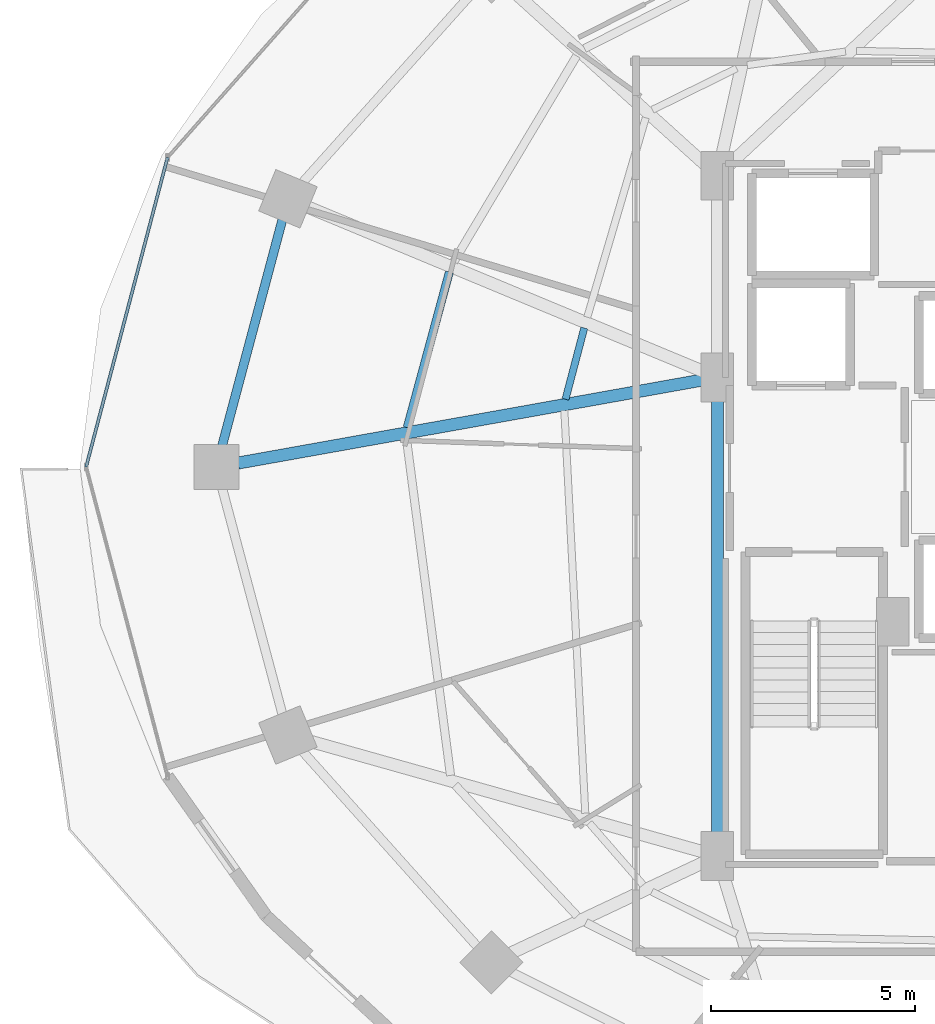
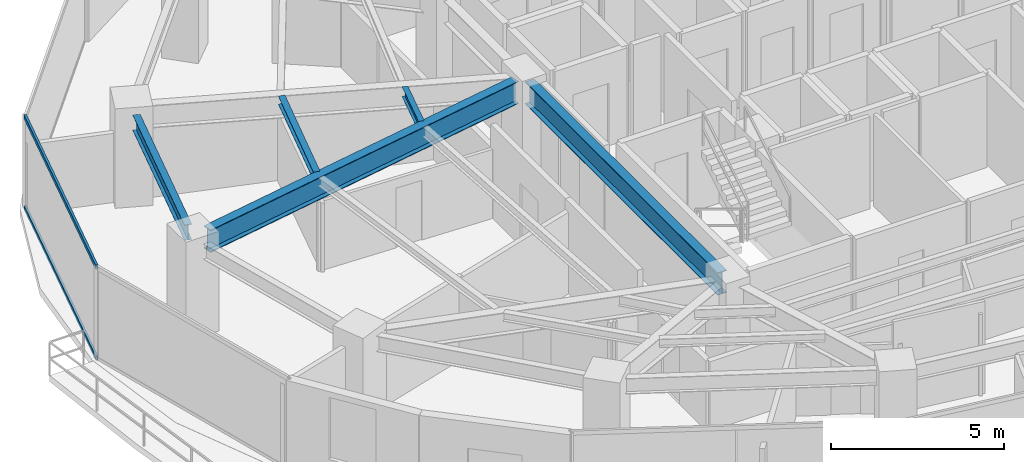
# One storey, part 8 of 29: 5 beams, 2 members, 1 element without a shape of its own.
"""IFC4 building model written with IfcOpenShell, lengths in metres."""

from ifc_helpers import new_model, si_unit, direction, frame, origin, origin_2d, place, context, subcontext, project, spatial, hollow_rectangle, i_section, extrude, material, material_profile, profile_set, type_object, element, aggregate, save


model = new_model("IFC4")

# Units and contexts
model_context = context("Model", 3, precision=1e-05, world=origin(), true_north=direction((0.0, 1.0)))
body_context = subcontext(model_context, "Body", "Model", "MODEL_VIEW")
ifc_project = project(units=[si_unit("LENGTHUNIT", "METRE"), si_unit("AREAUNIT", "SQUARE_METRE"), si_unit("VOLUMEUNIT", "CUBIC_METRE"), si_unit("PLANEANGLEUNIT", "RADIAN"), si_unit("MASSUNIT", "GRAM", prefix="KILO")], contexts=[model_context])

# Site, building, storey
site_placement = place(None, origin())
site = spatial("IfcSite", under=ifc_project, at=site_placement, CompositionType="ELEMENT")
building_placement = place(site_placement, origin())
building = spatial("IfcBuilding", under=site, at=building_placement, Name="Vorneva Point Tower", CompositionType="ELEMENT")
storey_placement = place(building_placement, frame((0.0, 0.0, 117.300048828125)))
storey = spatial("IfcBuildingStorey", under=building, at=storey_placement, Name="L31", CompositionType="ELEMENT", Elevation=117.300048828125)

# Beams
ifc_material_1 = material(Name="Steel S355", Category="steel")
ifc_material_profile_1 = material_profile(ifc_material_1, i_section(OverallWidth=0.300048828125, OverallDepth=0.7880859375, WebThickness=0.014404296875, FlangeThickness=0.02197265625, at=origin_2d()), Name="80Sh1")
ifc_profile_set_1 = profile_set([ifc_material_profile_1], Name="Steel S355")
beam_type_1 = type_object("IfcBeamType", Name="BM-GRD-80Sh1", PredefinedType="USERDEFINED", material=ifc_profile_set_1)
beam_1_placement = place(storey_placement, frame((15.4794921875, 26.0947265625, 2.845947265625), z_axis=(0.984378310682, 0.176066298476, 0.0), x_axis=(-0.176066298476, 0.984378310682, 0.0)))
element("IfcBeam", 1, at=beam_1_placement, inside=storey, type_object=beam_type_1, Name="L31 Radial Primary Girder 09", ObjectType="GIRDER", PredefinedType="USERDEFINED", context=body_context, shape_type="SweptSolid", body=[
    extrude(i_section(OverallWidth=0.300048828125, OverallDepth=0.7880859375, WebThickness=0.014404296875, FlangeThickness=0.02197265625, at=origin_2d()), origin(), (0.0, 0.0, 1.0), 11.6171875),
])
beam_2_placement = place(storey_placement, frame((27.25, 16.77001953125, 2.845947265625), z_axis=(0.0, 1.0, 0.0), x_axis=(-1.0, 0.0, 0.0)))
element("IfcBeam", 2, at=beam_2_placement, inside=storey, type_object=beam_type_1, Name="L31 Core Tie Girder CT1", ObjectType="GIRDER", PredefinedType="USERDEFINED", context=body_context, shape_type="SweptSolid", body=[
    extrude(i_section(OverallWidth=0.300048828125, OverallDepth=0.7880859375, WebThickness=0.014404296875, FlangeThickness=0.02197265625, at=origin_2d()), origin(), (0.0, 0.0, 1.0), 11.10986328125),
])
ifc_material_profile_2 = material_profile(ifc_material_1, i_section(OverallWidth=0.199951171875, OverallDepth=0.291015625, WebThickness=0.008056640625, FlangeThickness=0.010986328125, at=origin_2d()), Name="30Sh1")
ifc_profile_set_2 = profile_set([ifc_material_profile_2], Name="Steel S355")
beam_type_2 = type_object("IfcBeamType", Name="BM-SEC-30Sh1", PredefinedType="BEAM", material=ifc_profile_set_2)
beam_3_placement = place(storey_placement, frame((20.669677734375, 30.7861328125, 3.094482421875), z_axis=(-0.261880909286, -0.965100196535, 0.0), x_axis=(0.965100196535, -0.261880909286, 0.0)))
element("IfcBeam", 3, at=beam_3_placement, inside=storey, type_object=beam_type_2, Name="L31 Secondary Floor Beam 1.08", PredefinedType="BEAM", context=body_context, shape_type="SweptSolid", body=[
    extrude(i_section(OverallWidth=0.199951171875, OverallDepth=0.291015625, WebThickness=0.008056640625, FlangeThickness=0.010986328125, at=origin_2d()), origin(), (0.0, 0.0, 1.0), 3.960205078125),
])
ifc_material_profile_3 = material_profile(ifc_material_1, i_section(OverallWidth=0.174072265625, OverallDepth=0.345947265625, WebThickness=0.006103515625, FlangeThickness=0.009033203125, at=origin_2d()), Name="35B1")
ifc_profile_set_3 = profile_set([ifc_material_profile_3], Name="Steel S355")
beam_type_3 = type_object("IfcBeamType", Name="BM-SEC-35B1", PredefinedType="BEAM", material=ifc_profile_set_3)
beam_4_placement = place(storey_placement, frame((23.98046875, 29.41064453125, 3.06689453125), z_axis=(-0.254480022924, -0.967078030943, 0.0), x_axis=(0.967078030943, -0.254480022924, 0.0)))
element("IfcBeam", 4, at=beam_4_placement, inside=storey, type_object=beam_type_3, Name="L31 Secondary Floor Beam 2.08", PredefinedType="BEAM", context=body_context, shape_type="SweptSolid", body=[
    extrude(i_section(OverallWidth=0.174072265625, OverallDepth=0.345947265625, WebThickness=0.006103515625, FlangeThickness=0.009033203125, at=origin_2d()), origin(), (0.0, 0.0, 1.0), 1.810302734375),
])
ifc_material_profile_4 = material_profile(ifc_material_1, i_section(OverallWidth=0.219970703125, OverallDepth=0.54296875, WebThickness=0.009521484375, FlangeThickness=0.013427734375, at=origin_2d()), Name="55B1")
ifc_profile_set_4 = profile_set([ifc_material_profile_4], Name="Steel S355")
beam_type_4 = type_object("IfcBeamType", Name="BM-SPN-55B1", PredefinedType="SPANDREL", material=ifc_profile_set_4)
beam_5_placement = place(storey_placement, frame((16.56689453125, 32.065185546875, 2.968505859375), z_axis=(-0.257572674071, -0.966258928845, 0.0), x_axis=(0.966258928845, -0.257572674071, 0.0)))
element("IfcBeam", 5, at=beam_5_placement, inside=storey, type_object=beam_type_4, Name="L31 Perimeter Spandrel Ring Beam 08", PredefinedType="SPANDREL", context=body_context, shape_type="SweptSolid", body=[
    extrude(i_section(OverallWidth=0.219970703125, OverallDepth=0.54296875, WebThickness=0.009521484375, FlangeThickness=0.013427734375, at=origin_2d()), origin(), (0.0, 0.0, 1.0), 5.7421875),
])

# Curtain wall, members
ifc_material_2 = material(Name="Pale anodised aluminium", Category="aluminium")
curtain_wall_type = type_object("IfcCurtainWallType", Name="CW-HTL-SYS", PredefinedType="NOTDEFINED", material=ifc_material_2)
curtain_wall_placement = place(storey_placement, origin())
curtain_wall = element("IfcCurtainWall", 6, at=curtain_wall_placement, inside=storey, type_object=curtain_wall_type, Name="L31 Unitised Curtain Wall CW-L31-R02", PredefinedType="NOTDEFINED")
ifc_material_profile_5 = material_profile(ifc_material_2, hollow_rectangle(XDim=0.074951171875, YDim=0.14990234375, WallThickness=0.00390625, at=origin_2d()), Name="AL-TRN 150x75x4")
ifc_profile_set_5 = profile_set([ifc_material_profile_5], Name="Pale anodised aluminium")
member_type = type_object("IfcMemberType", Name="CW-TRN-150", PredefinedType="USERDEFINED", material=ifc_profile_set_5)
member_1_placement = place(storey_placement, frame((13.748291015625, 33.59619140625, 0.02001953125), z_axis=(-0.254409150465, -0.967096677773, 0.0), x_axis=(0.967096677773, -0.254409150465, 0.0)))
member_1 = element("IfcMember", 7, at=member_1_placement, type_object=member_type, Name="CW-L31-R02 Transom 02.1", ObjectType="TRANSOM", PredefinedType="USERDEFINED", context=body_context, shape_type="SweptSolid", body=[
    extrude(hollow_rectangle(XDim=0.074951171875, YDim=0.14990234375, WallThickness=0.00390625, at=origin_2d()), origin(), (0.0, 0.0, 1.0), 7.854736328125),
])
member_2_placement = place(storey_placement, frame((13.748291015625, 33.59619140625, 3.219970703125), z_axis=(-0.254409150465, -0.967096677773, 0.0), x_axis=(0.967096677773, -0.254409150465, 0.0)))
member_2 = element("IfcMember", 8, at=member_2_placement, type_object=member_type, Name="CW-L31-R02 Transom 02.2", ObjectType="TRANSOM", PredefinedType="USERDEFINED", context=body_context, shape_type="SweptSolid", body=[
    extrude(hollow_rectangle(XDim=0.074951171875, YDim=0.14990234375, WallThickness=0.00390625, at=origin_2d()), origin(), (0.0, 0.0, 1.0), 7.854736328125),
])
aggregate(curtain_wall, [member_1, member_2])

save(model, "model.ifc")
